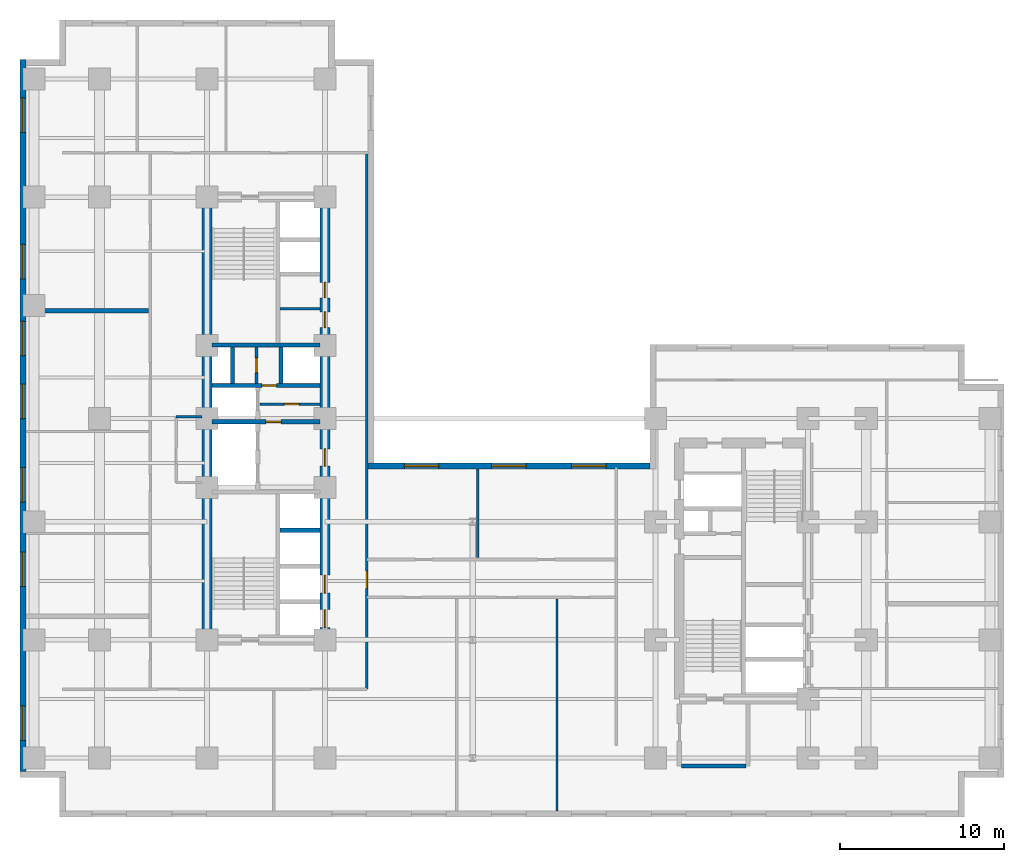
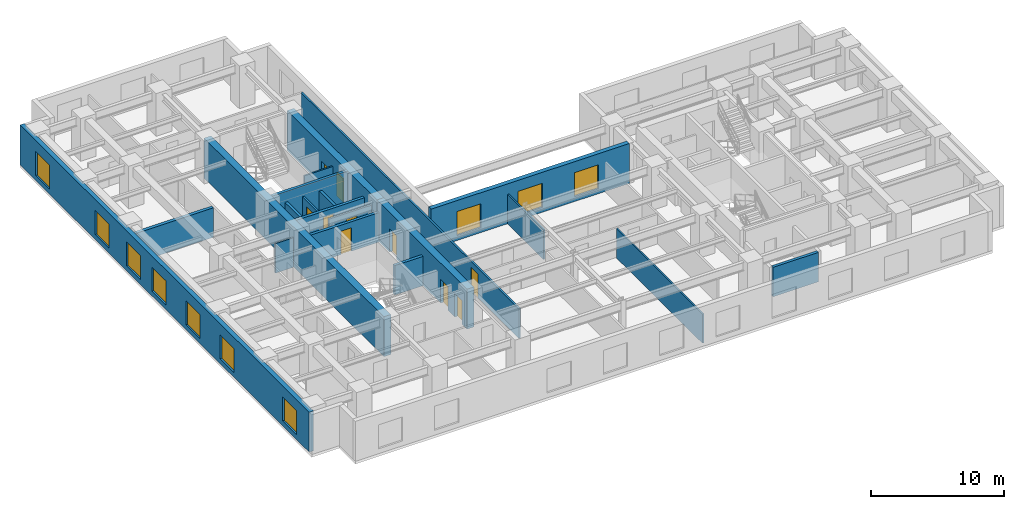
# One storey, part 4 of 9: 20 walls, 10 doors, 10 windows, 20 openings.
"""IFC4 building model written with IfcOpenShell, lengths in metres."""

from ifc_helpers import new_model, entity, si_unit, converted_unit, direction, frame, origin_with_axes, origin_2d_with_axis, place, context, subcontext, project, spatial, polyline, rectangle, outline, extrude, material, layer, layer_set, type_object, element, fill, save


model = new_model("IFC4")

# Units and contexts
model_context = context("Model", 3, precision=1e-05, world=origin_with_axes(), true_north=direction((0.0, 1.0)))
body_context = subcontext(model_context, "Body", "Model", "MODEL_VIEW")
ifc_project = project(units=[si_unit("LENGTHUNIT", "METRE"), si_unit("AREAUNIT", "SQUARE_METRE"), si_unit("VOLUMEUNIT", "CUBIC_METRE"), converted_unit("PLANEANGLEUNIT", "DEGREE", entity("IfcPlaneAngleMeasure", 0.017453292519943295), si_unit("PLANEANGLEUNIT", "RADIAN"), dimensions=[0, 0, 0, 0, 0, 0, 0]), si_unit("MASSUNIT", "GRAM", prefix="KILO"), si_unit("THERMODYNAMICTEMPERATUREUNIT", "KELVIN")], contexts=[model_context])

# Site, building, storey
site_placement = place(None, origin_with_axes())
site = spatial("IfcSite", under=ifc_project, at=site_placement, CompositionType="ELEMENT")
building_placement = place(site_placement, origin_with_axes())
building = spatial("IfcBuilding", under=site, at=building_placement, Name="Varnlund Millrace Tower", CompositionType="ELEMENT")
storey_placement = place(building_placement, frame((0.0, 0.0, 60.0), z_axis=(0.0, 0.0, 1.0), x_axis=(1.0, 0.0, 0.0)))
storey = spatial("IfcBuildingStorey", under=building, at=storey_placement, Name="L14", CompositionType="ELEMENT", Elevation=60.0)

# Wall
ifc_material_1 = material(Name="Concrete C80/95", Category="concrete")
ifc_layer_1 = layer(ifc_material_1, 0.6, Name="Concrete C80/95")
ifc_layer_set_1 = layer_set([ifc_layer_1], Name="Concrete C80/95")
wall_type_1 = type_object("IfcWallType", Name="Type-CoreWall-Shear-600-C80", PredefinedType="SHEAR", material=ifc_layer_set_1)
wall_1_placement = place(storey_placement, frame((11.4, 10.8, 0.0), z_axis=(0.0, 0.0, 1.0), x_axis=(0.0, 1.0, 0.0)))
element("IfcWall", 1, at=wall_1_placement, inside=storey, type_object=wall_type_1, Name="Type-CoreWall-Shear-600-C80", PredefinedType="SHEAR", context=body_context, shape_type="SweptSolid", body=[
    extrude(outline(polyline([(0.0, -0.3), (27.0, -0.3), (27.0, 0.3), (0.0, 0.3), (0.0, -0.3)])), origin_with_axes(), (0.0, 0.0, 1.0), 3.66),
])

# Wall, openings, doors
wall_2_placement = place(storey_placement, frame((18.6, 10.8, 0.0), z_axis=(0.0, 0.0, 1.0), x_axis=(0.0, 1.0, 0.0)))
wall_2 = element("IfcWall", 2, at=wall_2_placement, inside=storey, type_object=wall_type_1, Name="Type-CoreWall-Shear-600-C80", PredefinedType="SHEAR", context=body_context, shape_type="SweptSolid", body=[
    extrude(outline(polyline([(0.0, -0.3), (13.5, -0.3), (13.5, 0.3), (0.0, 0.3), (0.0, -0.3)])), origin_with_axes(), (0.0, 0.0, 1.0), 3.66),
])
opening_1_placement = place(wall_2_placement, frame((1.3, 0.0, 0.0), z_axis=(0.0, 0.0, 1.0), x_axis=(1.0, 0.0, 0.0)))
opening_1 = element("IfcOpeningElement", 3, at=opening_1_placement, cuts=wall_2, Name="Opening L14:LD-ELV-L1", PredefinedType="OPENING", context=body_context, shape_type="SweptSolid", body=[
    extrude(rectangle(XDim=1.1, YDim=0.62, at=origin_2d_with_axis()), origin_with_axes(), (0.0, 0.0, 1.0), 2.15),
])
opening_2_placement = place(wall_2_placement, frame((3.4, 0.0, 0.0), z_axis=(0.0, 0.0, 1.0), x_axis=(1.0, 0.0, 0.0)))
opening_2 = element("IfcOpeningElement", 4, at=opening_2_placement, cuts=wall_2, Name="Opening L14:LD-ELV-L2", PredefinedType="OPENING", context=body_context, shape_type="SweptSolid", body=[
    extrude(rectangle(XDim=1.1, YDim=0.62, at=origin_2d_with_axis()), origin_with_axes(), (0.0, 0.0, 1.0), 2.15),
])
opening_3_placement = place(wall_2_placement, frame((11.125, 0.0, 0.0), z_axis=(0.0, 0.0, 1.0), x_axis=(1.0, 0.0, 0.0)))
opening_3 = element("IfcOpeningElement", 5, at=opening_3_placement, cuts=wall_2, Name="Opening L14:DR-FFLOB-A", PredefinedType="OPENING", context=body_context, shape_type="SweptSolid", body=[
    extrude(rectangle(XDim=1.05, YDim=0.62, at=origin_2d_with_axis()), origin_with_axes(), (0.0, 0.0, 1.0), 2.15),
])
ifc_material_2 = material(Name="Smoke-barrier hollow steel fire door", Category="steel")
door_type_1 = type_object("IfcDoorType", Name="Type-FireDoor-Lobby-1050X2150", OperationType="NOTDEFINED", PredefinedType="DOOR", material=ifc_material_2)
door_1_placement = place(wall_2_placement, frame((11.125, 0.0, 0.0), z_axis=(0.0, 0.0, 1.0), x_axis=(1.0, 0.0, 0.0)))
door_1 = element("IfcDoor", 6, at=door_1_placement, inside=storey, type_object=door_type_1, Name="Type-FireDoor-Lobby-1050X2150", OperationType="SINGLE_SWING_LEFT", OverallHeight=2.15, OverallWidth=1.05, PredefinedType="DOOR", context=body_context, shape_type="SweptSolid", body=[
    extrude(rectangle(XDim=1.05, YDim=0.09, at=origin_2d_with_axis()), origin_with_axes(), (0.0, 0.0, 1.0), 2.15),
])
fill(opening_3, door_1)
ifc_material_3 = material(Name="Stainless and architectural bronze sliding landing door")
door_type_2 = type_object("IfcDoorType", Name="Type-LiftLandingDoor-1100X2150", OperationType="NOTDEFINED", PredefinedType="DOOR", material=ifc_material_3)
door_2_placement = place(wall_2_placement, frame((1.3, 0.0, 0.0), z_axis=(0.0, 0.0, 1.0), x_axis=(1.0, 0.0, 0.0)))
door_2 = element("IfcDoor", 7, at=door_2_placement, inside=storey, type_object=door_type_2, Name="Type-LiftLandingDoor-1100X2150", OperationType="SLIDING_TO_LEFT", OverallHeight=2.15, OverallWidth=1.1, PredefinedType="DOOR", context=body_context, shape_type="SweptSolid", body=[
    extrude(rectangle(XDim=1.1, YDim=0.09, at=origin_2d_with_axis()), origin_with_axes(), (0.0, 0.0, 1.0), 2.15),
])
fill(opening_1, door_2)
door_3_placement = place(wall_2_placement, frame((3.4, 0.0, 0.0), z_axis=(0.0, 0.0, 1.0), x_axis=(1.0, 0.0, 0.0)))
door_3 = element("IfcDoor", 8, at=door_3_placement, inside=storey, type_object=door_type_2, Name="Type-LiftLandingDoor-1100X2150", OperationType="SLIDING_TO_RIGHT", OverallHeight=2.15, OverallWidth=1.1, PredefinedType="DOOR", context=body_context, shape_type="SweptSolid", body=[
    extrude(rectangle(XDim=1.1, YDim=0.09, at=origin_2d_with_axis()), origin_with_axes(), (0.0, 0.0, 1.0), 2.15),
])
fill(opening_2, door_3)

wall_3_placement = place(storey_placement, frame((18.6, 24.3, 0.0), z_axis=(0.0, 0.0, 1.0), x_axis=(0.0, 1.0, 0.0)))
wall_3 = element("IfcWall", 9, at=wall_3_placement, inside=storey, type_object=wall_type_1, Name="Type-CoreWall-Shear-600-C80", PredefinedType="SHEAR", context=body_context, shape_type="SweptSolid", body=[
    extrude(outline(polyline([(0.0, -0.3), (13.5, -0.3), (13.5, 0.3), (0.0, 0.3), (0.0, -0.3)])), origin_with_axes(), (0.0, 0.0, 1.0), 3.66),
])
opening_4_placement = place(wall_3_placement, frame((6.025, 0.0, 0.0), z_axis=(0.0, 0.0, 1.0), x_axis=(1.0, 0.0, 0.0)))
opening_4 = element("IfcOpeningElement", 10, at=opening_4_placement, cuts=wall_3, Name="Opening L14:DR-CA-WC1", PredefinedType="OPENING", context=body_context, shape_type="SweptSolid", body=[
    extrude(rectangle(XDim=0.95, YDim=0.62, at=origin_2d_with_axis()), origin_with_axes(), (0.0, 0.0, 1.0), 2.15),
])
opening_5_placement = place(wall_3_placement, frame((7.825, 0.0, 0.0), z_axis=(0.0, 0.0, 1.0), x_axis=(1.0, 0.0, 0.0)))
opening_5 = element("IfcOpeningElement", 11, at=opening_5_placement, cuts=wall_3, Name="Opening L14:DR-CA-WC2", PredefinedType="OPENING", context=body_context, shape_type="SweptSolid", body=[
    extrude(rectangle(XDim=0.95, YDim=0.62, at=origin_2d_with_axis()), origin_with_axes(), (0.0, 0.0, 1.0), 2.15),
])
ifc_material_4 = material(Name="Fire-rated hollow steel core service door", Category="steel")
door_type_3 = type_object("IfcDoorType", Name="Type-FireDoor-Service-950X2150", OperationType="NOTDEFINED", PredefinedType="DOOR", material=ifc_material_4)
door_4_placement = place(wall_3_placement, frame((6.025, 0.0, 0.0), z_axis=(0.0, 0.0, 1.0), x_axis=(1.0, 0.0, 0.0)))
door_4 = element("IfcDoor", 12, at=door_4_placement, inside=storey, type_object=door_type_3, Name="Type-FireDoor-Service-950X2150", OperationType="SINGLE_SWING_RIGHT", OverallHeight=2.15, OverallWidth=0.95, PredefinedType="DOOR", context=body_context, shape_type="SweptSolid", body=[
    extrude(rectangle(XDim=0.95, YDim=0.09, at=origin_2d_with_axis()), origin_with_axes(), (0.0, 0.0, 1.0), 2.15),
])
fill(opening_4, door_4)
door_5_placement = place(wall_3_placement, frame((7.825, 0.0, 0.0), z_axis=(0.0, 0.0, 1.0), x_axis=(1.0, 0.0, 0.0)))
door_5 = element("IfcDoor", 13, at=door_5_placement, inside=storey, type_object=door_type_3, Name="Type-FireDoor-Service-950X2150", OperationType="SINGLE_SWING_RIGHT", OverallHeight=2.15, OverallWidth=0.95, PredefinedType="DOOR", context=body_context, shape_type="SweptSolid", body=[
    extrude(rectangle(XDim=0.95, YDim=0.09, at=origin_2d_with_axis()), origin_with_axes(), (0.0, 0.0, 1.0), 2.15),
])
fill(opening_5, door_5)

# Wall, openings, windows
ifc_material_5 = material(Name="Precast concrete C50/60", Category="concrete")
ifc_layer_2 = layer(ifc_material_5, 0.38, Name="Precast concrete C50/60")
ifc_layer_set_2 = layer_set([ifc_layer_2], Name="Precast concrete C50/60")
wall_type_2 = type_object("IfcWallType", Name="Type-ExtWall-Precast-Tube-380", PredefinedType="SOLIDWALL", material=ifc_layer_set_2)
wall_4_placement = place(storey_placement, frame((0.19, 2.78, 0.0), z_axis=(0.0, 0.0, 1.0), x_axis=(0.0, 1.0, 0.0)))
wall_4 = element("IfcWall", 14, at=wall_4_placement, inside=storey, type_object=wall_type_2, Name="Type-ExtWall-Precast-Tube-380", PredefinedType="SOLIDWALL", context=body_context, shape_type="SweptSolid", body=[
    extrude(outline(polyline([(0.0, -0.19), (43.42, -0.19), (43.42, 0.19), (0.0, 0.19), (0.0, -0.19)])), origin_with_axes(), (0.0, 0.0, 1.0), 3.66),
])
opening_6_placement = place(wall_4_placement, frame((2.946, 0.0, 0.45), z_axis=(0.0, 0.0, 1.0), x_axis=(1.0, 0.0, 0.0)))
opening_6 = element("IfcOpeningElement", 15, at=opening_6_placement, cuts=wall_4, Name="Opening L14:WN-16", PredefinedType="OPENING", context=body_context, shape_type="SweptSolid", body=[
    extrude(rectangle(XDim=2.1, YDim=0.4, at=origin_2d_with_axis()), origin_with_axes(), (0.0, 0.0, 1.0), 2.2),
])
opening_7_placement = place(wall_4_placement, frame((12.328, 0.0, 0.45), z_axis=(0.0, 0.0, 1.0), x_axis=(1.0, 0.0, 0.0)))
opening_7 = element("IfcOpeningElement", 16, at=opening_7_placement, cuts=wall_4, Name="Opening L14:WN-17", PredefinedType="OPENING", context=body_context, shape_type="SweptSolid", body=[
    extrude(rectangle(XDim=2.1, YDim=0.4, at=origin_2d_with_axis()), origin_with_axes(), (0.0, 0.0, 1.0), 2.2),
])
opening_8_placement = place(wall_4_placement, frame((17.469, 0.0, 0.45), z_axis=(0.0, 0.0, 1.0), x_axis=(1.0, 0.0, 0.0)))
opening_8 = element("IfcOpeningElement", 17, at=opening_8_placement, cuts=wall_4, Name="Opening L14:WN-18", PredefinedType="OPENING", context=body_context, shape_type="SweptSolid", body=[
    extrude(rectangle(XDim=2.1, YDim=0.4, at=origin_2d_with_axis()), origin_with_axes(), (0.0, 0.0, 1.0), 2.2),
])
opening_9_placement = place(wall_4_placement, frame((22.56, 0.0, 0.45), z_axis=(0.0, 0.0, 1.0), x_axis=(1.0, 0.0, 0.0)))
opening_9 = element("IfcOpeningElement", 18, at=opening_9_placement, cuts=wall_4, Name="Opening L14:WN-19", PredefinedType="OPENING", context=body_context, shape_type="SweptSolid", body=[
    extrude(rectangle(XDim=2.1, YDim=0.4, at=origin_2d_with_axis()), origin_with_axes(), (0.0, 0.0, 1.0), 2.2),
])
opening_10_placement = place(wall_4_placement, frame((26.401, 0.0, 0.45), z_axis=(0.0, 0.0, 1.0), x_axis=(1.0, 0.0, 0.0)))
opening_10 = element("IfcOpeningElement", 19, at=opening_10_placement, cuts=wall_4, Name="Opening L14:WN-20", PredefinedType="OPENING", context=body_context, shape_type="SweptSolid", body=[
    extrude(rectangle(XDim=2.1, YDim=0.4, at=origin_2d_with_axis()), origin_with_axes(), (0.0, 0.0, 1.0), 2.2),
])
opening_11_placement = place(wall_4_placement, frame((31.092, 0.0, 0.45), z_axis=(0.0, 0.0, 1.0), x_axis=(1.0, 0.0, 0.0)))
opening_11 = element("IfcOpeningElement", 20, at=opening_11_placement, cuts=wall_4, Name="Opening L14:WN-21", PredefinedType="OPENING", context=body_context, shape_type="SweptSolid", body=[
    extrude(rectangle(XDim=2.1, YDim=0.4, at=origin_2d_with_axis()), origin_with_axes(), (0.0, 0.0, 1.0), 2.2),
])
opening_12_placement = place(wall_4_placement, frame((40.024, 0.0, 0.45), z_axis=(0.0, 0.0, 1.0), x_axis=(1.0, 0.0, 0.0)))
opening_12 = element("IfcOpeningElement", 21, at=opening_12_placement, cuts=wall_4, Name="Opening L14:WN-22", PredefinedType="OPENING", context=body_context, shape_type="SweptSolid", body=[
    extrude(rectangle(XDim=2.1, YDim=0.4, at=origin_2d_with_axis()), origin_with_axes(), (0.0, 0.0, 1.0), 2.2),
])
ifc_material_6 = material(Name="Argon low-e triple glazing in thermally broken bronze frame", Category="glass")
window_type = type_object("IfcWindowType", Name="Type-Window-Punched-2100X2200", PartitioningType="SINGLE_PANEL", PredefinedType="WINDOW", material=ifc_material_6)
window_1_placement = place(wall_4_placement, frame((2.946, 0.0, 0.45), z_axis=(0.0, 0.0, 1.0), x_axis=(1.0, 0.0, 0.0)))
window_1 = element("IfcWindow", 22, at=window_1_placement, inside=storey, type_object=window_type, Name="Type-Window-Punched-2100X2200", OverallHeight=2.2, OverallWidth=2.1, PredefinedType="WINDOW", context=body_context, shape_type="SweptSolid", body=[
    extrude(rectangle(XDim=2.1, YDim=0.09, at=origin_2d_with_axis()), origin_with_axes(), (0.0, 0.0, 1.0), 2.2),
])
fill(opening_6, window_1)
window_2_placement = place(wall_4_placement, frame((12.328, 0.0, 0.45), z_axis=(0.0, 0.0, 1.0), x_axis=(1.0, 0.0, 0.0)))
window_2 = element("IfcWindow", 23, at=window_2_placement, inside=storey, type_object=window_type, Name="Type-Window-Punched-2100X2200", OverallHeight=2.2, OverallWidth=2.1, PredefinedType="WINDOW", context=body_context, shape_type="SweptSolid", body=[
    extrude(rectangle(XDim=2.1, YDim=0.09, at=origin_2d_with_axis()), origin_with_axes(), (0.0, 0.0, 1.0), 2.2),
])
fill(opening_7, window_2)
window_3_placement = place(wall_4_placement, frame((17.469, 0.0, 0.45), z_axis=(0.0, 0.0, 1.0), x_axis=(1.0, 0.0, 0.0)))
window_3 = element("IfcWindow", 24, at=window_3_placement, inside=storey, type_object=window_type, Name="Type-Window-Punched-2100X2200", OverallHeight=2.2, OverallWidth=2.1, PredefinedType="WINDOW", context=body_context, shape_type="SweptSolid", body=[
    extrude(rectangle(XDim=2.1, YDim=0.09, at=origin_2d_with_axis()), origin_with_axes(), (0.0, 0.0, 1.0), 2.2),
])
fill(opening_8, window_3)
window_4_placement = place(wall_4_placement, frame((22.56, 0.0, 0.45), z_axis=(0.0, 0.0, 1.0), x_axis=(1.0, 0.0, 0.0)))
window_4 = element("IfcWindow", 25, at=window_4_placement, inside=storey, type_object=window_type, Name="Type-Window-Punched-2100X2200", OverallHeight=2.2, OverallWidth=2.1, PredefinedType="WINDOW", context=body_context, shape_type="SweptSolid", body=[
    extrude(rectangle(XDim=2.1, YDim=0.09, at=origin_2d_with_axis()), origin_with_axes(), (0.0, 0.0, 1.0), 2.2),
])
fill(opening_9, window_4)
window_5_placement = place(wall_4_placement, frame((26.401, 0.0, 0.45), z_axis=(0.0, 0.0, 1.0), x_axis=(1.0, 0.0, 0.0)))
window_5 = element("IfcWindow", 26, at=window_5_placement, inside=storey, type_object=window_type, Name="Type-Window-Punched-2100X2200", OverallHeight=2.2, OverallWidth=2.1, PredefinedType="WINDOW", context=body_context, shape_type="SweptSolid", body=[
    extrude(rectangle(XDim=2.1, YDim=0.09, at=origin_2d_with_axis()), origin_with_axes(), (0.0, 0.0, 1.0), 2.2),
])
fill(opening_10, window_5)
window_6_placement = place(wall_4_placement, frame((31.092, 0.0, 0.45), z_axis=(0.0, 0.0, 1.0), x_axis=(1.0, 0.0, 0.0)))
window_6 = element("IfcWindow", 27, at=window_6_placement, inside=storey, type_object=window_type, Name="Type-Window-Punched-2100X2200", OverallHeight=2.2, OverallWidth=2.1, PredefinedType="WINDOW", context=body_context, shape_type="SweptSolid", body=[
    extrude(rectangle(XDim=2.1, YDim=0.09, at=origin_2d_with_axis()), origin_with_axes(), (0.0, 0.0, 1.0), 2.2),
])
fill(opening_11, window_6)
window_7_placement = place(wall_4_placement, frame((40.024, 0.0, 0.45), z_axis=(0.0, 0.0, 1.0), x_axis=(1.0, 0.0, 0.0)))
window_7 = element("IfcWindow", 28, at=window_7_placement, inside=storey, type_object=window_type, Name="Type-Window-Punched-2100X2200", OverallHeight=2.2, OverallWidth=2.1, PredefinedType="WINDOW", context=body_context, shape_type="SweptSolid", body=[
    extrude(rectangle(XDim=2.1, YDim=0.09, at=origin_2d_with_axis()), origin_with_axes(), (0.0, 0.0, 1.0), 2.2),
])
fill(opening_12, window_7)

wall_5_placement = place(storey_placement, frame((21.22, 21.41, 0.0), z_axis=(0.0, 0.0, 1.0), x_axis=(1.0, 0.0, 0.0)))
wall_5 = element("IfcWall", 29, at=wall_5_placement, inside=storey, type_object=wall_type_2, Name="Type-ExtWall-Precast-Tube-380", PredefinedType="SOLIDWALL", context=body_context, shape_type="SweptSolid", body=[
    extrude(outline(polyline([(0.0, -0.19), (17.18, -0.19), (17.18, 0.19), (0.0, 0.19), (0.0, -0.19)])), origin_with_axes(), (0.0, 0.0, 1.0), 3.66),
])
opening_13_placement = place(wall_5_placement, frame((3.263, 0.0, 0.45), z_axis=(0.0, 0.0, 1.0), x_axis=(1.0, 0.0, 0.0)))
opening_13 = element("IfcOpeningElement", 30, at=opening_13_placement, cuts=wall_5, Name="Opening L14:WN-27", PredefinedType="OPENING", context=body_context, shape_type="SweptSolid", body=[
    extrude(rectangle(XDim=2.1, YDim=0.4, at=origin_2d_with_axis()), origin_with_axes(), (0.0, 0.0, 1.0), 2.2),
])
opening_14_placement = place(wall_5_placement, frame((8.59, 0.0, 0.45), z_axis=(0.0, 0.0, 1.0), x_axis=(1.0, 0.0, 0.0)))
opening_14 = element("IfcOpeningElement", 31, at=opening_14_placement, cuts=wall_5, Name="Opening L14:WN-28", PredefinedType="OPENING", context=body_context, shape_type="SweptSolid", body=[
    extrude(rectangle(XDim=2.1, YDim=0.4, at=origin_2d_with_axis()), origin_with_axes(), (0.0, 0.0, 1.0), 2.2),
])
opening_15_placement = place(wall_5_placement, frame((13.467, 0.0, 0.45), z_axis=(0.0, 0.0, 1.0), x_axis=(1.0, 0.0, 0.0)))
opening_15 = element("IfcOpeningElement", 32, at=opening_15_placement, cuts=wall_5, Name="Opening L14:WN-29", PredefinedType="OPENING", context=body_context, shape_type="SweptSolid", body=[
    extrude(rectangle(XDim=2.1, YDim=0.4, at=origin_2d_with_axis()), origin_with_axes(), (0.0, 0.0, 1.0), 2.2),
])
window_8_placement = place(wall_5_placement, frame((3.263, 0.0, 0.45), z_axis=(0.0, 0.0, 1.0), x_axis=(1.0, 0.0, 0.0)))
window_8 = element("IfcWindow", 33, at=window_8_placement, inside=storey, type_object=window_type, Name="Type-Window-Punched-2100X2200", OverallHeight=2.2, OverallWidth=2.1, PredefinedType="WINDOW", context=body_context, shape_type="SweptSolid", body=[
    extrude(rectangle(XDim=2.1, YDim=0.09, at=origin_2d_with_axis()), origin_with_axes(), (0.0, 0.0, 1.0), 2.2),
])
fill(opening_13, window_8)
window_9_placement = place(wall_5_placement, frame((8.59, 0.0, 0.45), z_axis=(0.0, 0.0, 1.0), x_axis=(1.0, 0.0, 0.0)))
window_9 = element("IfcWindow", 34, at=window_9_placement, inside=storey, type_object=window_type, Name="Type-Window-Punched-2100X2200", OverallHeight=2.2, OverallWidth=2.1, PredefinedType="WINDOW", context=body_context, shape_type="SweptSolid", body=[
    extrude(rectangle(XDim=2.1, YDim=0.09, at=origin_2d_with_axis()), origin_with_axes(), (0.0, 0.0, 1.0), 2.2),
])
fill(opening_14, window_9)
window_10_placement = place(wall_5_placement, frame((13.467, 0.0, 0.45), z_axis=(0.0, 0.0, 1.0), x_axis=(1.0, 0.0, 0.0)))
window_10 = element("IfcWindow", 35, at=window_10_placement, inside=storey, type_object=window_type, Name="Type-Window-Punched-2100X2200", OverallHeight=2.2, OverallWidth=2.1, PredefinedType="WINDOW", context=body_context, shape_type="SweptSolid", body=[
    extrude(rectangle(XDim=2.1, YDim=0.09, at=origin_2d_with_axis()), origin_with_axes(), (0.0, 0.0, 1.0), 2.2),
])
fill(opening_15, window_10)

# Wall
ifc_material_7 = material(Name="Double-stud STC-60 conference acoustic partition", Category="gypsum")
ifc_layer_3 = layer(ifc_material_7, 0.28, Name="Double-stud STC-60 conference acoustic partition")
ifc_layer_set_3 = layer_set([ifc_layer_3], Name="Double-stud STC-60 conference acoustic partition")
wall_type_3 = type_object("IfcWallType", Name="Type-Partition-Acoustic-280", PredefinedType="PARTITIONING", material=ifc_layer_set_3)
wall_6_placement = place(storey_placement, frame((0.375, 30.87, 0.0), z_axis=(0.0, 0.0, 1.0), x_axis=(1.0, 0.0, 0.0)))
element("IfcWall", 36, at=wall_6_placement, inside=storey, type_object=wall_type_3, Name="Type-Partition-Acoustic-280", PredefinedType="PARTITIONING", context=body_context, shape_type="SweptSolid", body=[
    extrude(outline(polyline([(0.0, -0.14), (7.455, -0.14), (7.455, 0.14), (0.0, 0.14), (0.0, -0.14)])), origin_with_axes(), (0.0, 0.0, 1.0), 2.7),
])

# Wall, opening, door
ifc_material_8 = material(Name="Fire-rated gypsum board on cold-formed steel framing", Category="steel")
ifc_layer_4 = layer(ifc_material_8, 0.16, Name="Fire-rated gypsum board on cold-formed steel framing")
ifc_layer_set_4 = layer_set([ifc_layer_4], Name="Fire-rated gypsum board on cold-formed steel framing")
wall_type_4 = type_object("IfcWallType", Name="Type-Partition-Corridor-160", PredefinedType="PARTITIONING", material=ifc_layer_set_4)
wall_7_placement = place(storey_placement, frame((14.62, 25.18, 0.0), z_axis=(0.0, 0.0, 1.0), x_axis=(1.0, 0.0, 0.0)))
wall_7 = element("IfcWall", 37, at=wall_7_placement, inside=storey, type_object=wall_type_4, Name="Type-Partition-Corridor-160", PredefinedType="PARTITIONING", context=body_context, shape_type="SweptSolid", body=[
    extrude(outline(polyline([(0.0, -0.08), (3.68, -0.08), (3.68, 0.08), (0.0, 0.08), (0.0, -0.08)])), origin_with_axes(), (0.0, 0.0, 1.0), 2.7),
])
opening_16_placement = place(wall_7_placement, frame((1.95, 0.0, 0.0), z_axis=(0.0, 0.0, 1.0), x_axis=(1.0, 0.0, 0.0)))
opening_16 = element("IfcOpeningElement", 38, at=opening_16_placement, cuts=wall_7, Name="Opening L14:DR-CA-SUB2", PredefinedType="OPENING", context=body_context, shape_type="SweptSolid", body=[
    extrude(rectangle(XDim=0.9, YDim=0.18, at=origin_2d_with_axis()), origin_with_axes(), (0.0, 0.0, 1.0), 2.15),
])
ifc_material_9 = material(Name="Painted steel riser and closet door", Category="steel")
door_type_4 = type_object("IfcDoorType", Name="Type-IntDoor-Closet-900X2150", OperationType="NOTDEFINED", PredefinedType="DOOR", material=ifc_material_9)
door_6_placement = place(wall_7_placement, frame((1.95, 0.0, 0.0), z_axis=(0.0, 0.0, 1.0), x_axis=(1.0, 0.0, 0.0)))
door_6 = element("IfcDoor", 39, at=door_6_placement, inside=storey, type_object=door_type_4, Name="Type-IntDoor-Closet-900X2150", OperationType="SINGLE_SWING_LEFT", OverallHeight=2.15, OverallWidth=0.9, PredefinedType="DOOR", context=body_context, shape_type="SweptSolid", body=[
    extrude(rectangle(XDim=0.9, YDim=0.09, at=origin_2d_with_axis()), origin_with_axes(), (0.0, 0.0, 1.0), 2.15),
])
fill(opening_16, door_6)

wall_8_placement = place(storey_placement, frame((14.42, 26.45, 0.0), z_axis=(0.0, 0.0, 1.0), x_axis=(0.0, 1.0, 0.0)))
wall_8 = element("IfcWall", 40, at=wall_8_placement, inside=storey, type_object=wall_type_4, Name="Type-Partition-Corridor-160", PredefinedType="PARTITIONING", context=body_context, shape_type="SweptSolid", body=[
    extrude(outline(polyline([(0.0, -0.08), (2.2, -0.08), (2.2, 0.08), (0.0, 0.08), (0.0, -0.08)])), origin_with_axes(), (0.0, 0.0, 1.0), 2.7),
])
opening_17_placement = place(wall_8_placement, frame((1.1, 0.0, 0.0), z_axis=(0.0, 0.0, 1.0), x_axis=(1.0, 0.0, 0.0)))
opening_17 = element("IfcOpeningElement", 41, at=opening_17_placement, cuts=wall_8, Name="Opening L14:DR-CA-EL2", PredefinedType="OPENING", context=body_context, shape_type="SweptSolid", body=[
    extrude(rectangle(XDim=0.9, YDim=0.18, at=origin_2d_with_axis()), origin_with_axes(), (0.0, 0.0, 1.0), 2.15),
])
door_7_placement = place(wall_8_placement, frame((1.1, 0.0, 0.0), z_axis=(0.0, 0.0, 1.0), x_axis=(1.0, 0.0, 0.0)))
door_7 = element("IfcDoor", 42, at=door_7_placement, inside=storey, type_object=door_type_4, Name="Type-IntDoor-Closet-900X2150", OperationType="SINGLE_SWING_LEFT", OverallHeight=2.15, OverallWidth=0.9, PredefinedType="DOOR", context=body_context, shape_type="SweptSolid", body=[
    extrude(rectangle(XDim=0.9, YDim=0.09, at=origin_2d_with_axis()), origin_with_axes(), (0.0, 0.0, 1.0), 2.15),
])
fill(opening_17, door_7)

wall_9_placement = place(storey_placement, frame((21.15, 7.8, 0.0), z_axis=(0.0, 0.0, 1.0), x_axis=(0.0, 1.0, 0.0)))
wall_9 = element("IfcWall", 43, at=wall_9_placement, inside=storey, type_object=wall_type_4, Name="Type-Partition-Corridor-160", PredefinedType="PARTITIONING", context=body_context, shape_type="SweptSolid", body=[
    extrude(outline(polyline([(0.0, -0.08), (32.7, -0.08), (32.7, 0.08), (0.0, 0.08), (0.0, -0.08)])), origin_with_axes(), (0.0, 0.0, 1.0), 2.7),
])
opening_18_placement = place(wall_9_placement, frame((6.675, 0.0, 0.0), z_axis=(0.0, 0.0, 1.0), x_axis=(1.0, 0.0, 0.0)))
opening_18 = element("IfcOpeningElement", 44, at=opening_18_placement, cuts=wall_9, Name="Opening L14:DR-KN-W", PredefinedType="OPENING", context=body_context, shape_type="SweptSolid", body=[
    extrude(rectangle(XDim=1.05, YDim=0.18, at=origin_2d_with_axis()), origin_with_axes(), (0.0, 0.0, 1.0), 2.15),
])
door_8_placement = place(wall_9_placement, frame((6.675, 0.0, 0.0), z_axis=(0.0, 0.0, 1.0), x_axis=(1.0, 0.0, 0.0)))
door_8 = element("IfcDoor", 45, at=door_8_placement, inside=storey, type_object=door_type_1, Name="Type-FireDoor-Lobby-1050X2150", OperationType="SINGLE_SWING_LEFT", OverallHeight=2.15, OverallWidth=1.05, PredefinedType="DOOR", context=body_context, shape_type="SweptSolid", body=[
    extrude(rectangle(XDim=1.05, YDim=0.09, at=origin_2d_with_axis()), origin_with_axes(), (0.0, 0.0, 1.0), 2.15),
])
fill(opening_18, door_8)

# Walls
ifc_material_10 = material(Name="Acoustic STC-50 gypsum board partition", Category="gypsum")
ifc_layer_5 = layer(ifc_material_10, 0.15, Name="Acoustic STC-50 gypsum board partition")
ifc_layer_set_5 = layer_set([ifc_layer_5], Name="Acoustic STC-50 gypsum board partition")
wall_type_5 = type_object("IfcWallType", Name="Type-Partition-Demising-150", PredefinedType="PARTITIONING", material=ifc_layer_set_5)
wall_10_placement = place(storey_placement, frame((27.906, 15.82, 0.0), z_axis=(0.0, 0.0, 1.0), x_axis=(0.0, 1.0, 0.0)))
element("IfcWall", 46, at=wall_10_placement, inside=storey, type_object=wall_type_5, Name="Type-Partition-Demising-150", PredefinedType="PARTITIONING", context=body_context, shape_type="SweptSolid", body=[
    extrude(outline(polyline([(0.0, -0.075), (5.405, -0.075), (5.405, 0.075), (0.0, 0.075), (0.0, -0.075)])), origin_with_axes(), (0.0, 0.0, 1.0), 2.7),
])
ifc_material_11 = material(Name="Gypsum board tenant partition", Category="gypsum")
ifc_layer_6 = layer(ifc_material_11, 0.125, Name="Gypsum board tenant partition")
ifc_layer_set_6 = layer_set([ifc_layer_6], Name="Gypsum board tenant partition")
wall_type_6 = type_object("IfcWallType", Name="Type-Partition-Tenant-125", PredefinedType="PARTITIONING", material=ifc_layer_set_6)
wall_11_placement = place(storey_placement, frame((32.742, 0.36, 0.0), z_axis=(0.0, 0.0, 1.0), x_axis=(0.0, 1.0, 0.0)))
element("IfcWall", 47, at=wall_11_placement, inside=storey, type_object=wall_type_6, Name="Type-Partition-Tenant-125", PredefinedType="PARTITIONING", context=body_context, shape_type="SweptSolid", body=[
    extrude(outline(polyline([(0.0, -0.0625), (12.92, -0.0625), (12.92, 0.0625), (0.0, 0.0625), (0.0, -0.0625)])), origin_with_axes(), (0.0, 0.0, 1.0), 2.7),
])
ifc_material_12 = material(Name="Moisture-resistant gypsum restroom partition", Category="gypsum")
ifc_layer_7 = layer(ifc_material_12, 0.14, Name="Moisture-resistant gypsum restroom partition")
ifc_layer_set_7 = layer_set([ifc_layer_7], Name="Moisture-resistant gypsum restroom partition")
wall_type_7 = type_object("IfcWallType", Name="Type-Partition-Wet-140", PredefinedType="PARTITIONING", material=ifc_layer_set_7)
wall_12_placement = place(storey_placement, frame((15.84, 31.0, 0.0), z_axis=(0.0, 0.0, 1.0), x_axis=(1.0, 0.0, 0.0)))
element("IfcWall", 48, at=wall_12_placement, inside=storey, type_object=wall_type_7, Name="Type-Partition-Wet-140", PredefinedType="PARTITIONING", context=body_context, shape_type="SweptSolid", body=[
    extrude(outline(polyline([(0.0, -0.07), (2.46, -0.07), (2.46, 0.07), (0.0, 0.07), (0.0, -0.07)])), origin_with_axes(), (0.0, 0.0, 1.0), 2.7),
])
wall_13_placement = place(storey_placement, frame((9.52, 24.4, 0.0), z_axis=(0.0, 0.0, 1.0), x_axis=(1.0, 0.0, 0.0)))
element("IfcWall", 49, at=wall_13_placement, inside=storey, type_object=wall_type_7, Name="Type-Partition-Wet-140", PredefinedType="PARTITIONING", context=body_context, shape_type="SweptSolid", body=[
    extrude(outline(polyline([(0.0, -0.07), (1.58, -0.07), (1.58, 0.07), (0.0, 0.07), (0.0, -0.07)])), origin_with_axes(), (0.0, 0.0, 1.0), 2.7),
])

# Wall, opening, door
ifc_material_13 = material(Name="Concrete C60/75", Category="concrete")
ifc_layer_8 = layer(ifc_material_13, 0.25, Name="Concrete C60/75")
ifc_layer_set_8 = layer_set([ifc_layer_8], Name="Concrete C60/75")
wall_type_8 = type_object("IfcWallType", Name="Type-ShaftWall-Fire-250", PredefinedType="SOLIDWALL", material=ifc_layer_set_8)
wall_14_placement = place(storey_placement, frame((11.7, 24.1, 0.0), z_axis=(0.0, 0.0, 1.0), x_axis=(1.0, 0.0, 0.0)))
wall_14 = element("IfcWall", 50, at=wall_14_placement, inside=storey, type_object=wall_type_8, Name="Type-ShaftWall-Fire-250", PredefinedType="SOLIDWALL", context=body_context, shape_type="SweptSolid", body=[
    extrude(outline(polyline([(0.0, -0.125), (6.6, -0.125), (6.6, 0.125), (0.0, 0.125), (0.0, -0.125)])), origin_with_axes(), (0.0, 0.0, 1.0), 2.7),
])
opening_19_placement = place(wall_14_placement, frame((3.75, 0.0, 0.0), z_axis=(0.0, 0.0, 1.0), x_axis=(1.0, 0.0, 0.0)))
opening_19 = element("IfcOpeningElement", 51, at=opening_19_placement, cuts=wall_14, Name="Opening L14:DR-CA-SUB1", PredefinedType="OPENING", context=body_context, shape_type="SweptSolid", body=[
    extrude(rectangle(XDim=0.9, YDim=0.27, at=origin_2d_with_axis()), origin_with_axes(), (0.0, 0.0, 1.0), 2.15),
])
ifc_material_14 = material(Name="Fire-rated hollow steel service closet door", Category="steel")
door_type_5 = type_object("IfcDoorType", Name="Type-FireDoor-Closet-900X2150", OperationType="NOTDEFINED", PredefinedType="DOOR", material=ifc_material_14)
door_9_placement = place(wall_14_placement, frame((3.75, 0.0, 0.0), z_axis=(0.0, 0.0, 1.0), x_axis=(1.0, 0.0, 0.0)))
door_9 = element("IfcDoor", 52, at=door_9_placement, inside=storey, type_object=door_type_5, Name="Type-FireDoor-Closet-900X2150", OperationType="SINGLE_SWING_LEFT", OverallHeight=2.15, OverallWidth=0.9, PredefinedType="DOOR", context=body_context, shape_type="SweptSolid", body=[
    extrude(rectangle(XDim=0.9, YDim=0.09, at=origin_2d_with_axis()), origin_with_axes(), (0.0, 0.0, 1.0), 2.15),
])
fill(opening_19, door_9)

wall_15_placement = place(storey_placement, frame((11.7, 26.325, 0.0), z_axis=(0.0, 0.0, 1.0), x_axis=(1.0, 0.0, 0.0)))
wall_15 = element("IfcWall", 53, at=wall_15_placement, inside=storey, type_object=wall_type_8, Name="Type-ShaftWall-Fire-250", PredefinedType="SOLIDWALL", context=body_context, shape_type="SweptSolid", body=[
    extrude(outline(polyline([(0.0, -0.125), (6.6, -0.125), (6.6, 0.125), (0.0, 0.125), (0.0, -0.125)])), origin_with_axes(), (0.0, 0.0, 1.0), 2.7),
])
opening_20_placement = place(wall_15_placement, frame((3.5, 0.0, 0.0), z_axis=(0.0, 0.0, 1.0), x_axis=(1.0, 0.0, 0.0)))
opening_20 = element("IfcOpeningElement", 54, at=opening_20_placement, cuts=wall_15, Name="Opening L14:DR-CA-EL1", PredefinedType="OPENING", context=body_context, shape_type="SweptSolid", body=[
    extrude(rectangle(XDim=0.9, YDim=0.27, at=origin_2d_with_axis()), origin_with_axes(), (0.0, 0.0, 1.0), 2.15),
])
door_10_placement = place(wall_15_placement, frame((3.5, 0.0, 0.0), z_axis=(0.0, 0.0, 1.0), x_axis=(1.0, 0.0, 0.0)))
door_10 = element("IfcDoor", 55, at=door_10_placement, inside=storey, type_object=door_type_5, Name="Type-FireDoor-Closet-900X2150", OperationType="SINGLE_SWING_LEFT", OverallHeight=2.15, OverallWidth=0.9, PredefinedType="DOOR", context=body_context, shape_type="SweptSolid", body=[
    extrude(rectangle(XDim=0.9, YDim=0.09, at=origin_2d_with_axis()), origin_with_axes(), (0.0, 0.0, 1.0), 2.15),
])
fill(opening_20, door_10)

# Walls
for number, where, z_axis, x_axis, name in (
    (56, (12.96, 26.45, 0.0), (0.0, 0.0, 1.0), (0.0, 1.0, 0.0), "Type-ShaftWall-Fire-250"),
    (57, (15.925, 26.45, 0.0), (0.0, 0.0, 1.0), (0.0, 1.0, 0.0), "Type-ShaftWall-Fire-250"),
):
    element("IfcWall", number, at=place(storey_placement, frame(where, z_axis=z_axis, x_axis=x_axis)), inside=storey, type_object=wall_type_8, Name=name, PredefinedType="SOLIDWALL", context=body_context, shape_type="SweptSolid", body=[
        extrude(outline(polyline([(0.0, -0.125), (2.2, -0.125), (2.2, 0.125), (0.0, 0.125), (0.0, -0.125)])), origin_with_axes(), (0.0, 0.0, 1.0), 2.7),
    ])
wall_16_placement = place(storey_placement, frame((40.325, 3.1, 0.0), z_axis=(0.0, 0.0, 1.0), x_axis=(1.0, 0.0, 0.0)))
element("IfcWall", 58, at=wall_16_placement, inside=storey, type_object=wall_type_8, Name="Type-ShaftWall-Fire-250", PredefinedType="SOLIDWALL", context=body_context, shape_type="SweptSolid", body=[
    extrude(outline(polyline([(0.0, -0.125), (3.95, -0.125), (3.95, 0.125), (0.0, 0.125), (0.0, -0.125)])), origin_with_axes(), (0.0, 0.0, 1.0), 2.7),
])
wall_17_placement = place(storey_placement, frame((15.84, 17.49, 0.0), z_axis=(0.0, 0.0, 1.0), x_axis=(1.0, 0.0, 0.0)))
element("IfcWall", 59, at=wall_17_placement, inside=storey, type_object=wall_type_8, Name="Type-ShaftWall-Fire-250", PredefinedType="SOLIDWALL", context=body_context, shape_type="SweptSolid", body=[
    extrude(outline(polyline([(0.0, -0.125), (2.46, -0.125), (2.46, 0.125), (0.0, 0.125), (0.0, -0.125)])), origin_with_axes(), (0.0, 0.0, 1.0), 2.7),
])
wall_type_9 = type_object("IfcWallType", Name="Type-StairWall-Shear-250", PredefinedType="SHEAR", material=ifc_layer_set_8)
wall_18_placement = place(storey_placement, frame((11.7, 28.775, 0.0), z_axis=(0.0, 0.0, 1.0), x_axis=(1.0, 0.0, 0.0)))
element("IfcWall", 60, at=wall_18_placement, inside=storey, type_object=wall_type_9, Name="Type-StairWall-Shear-250", PredefinedType="SHEAR", context=body_context, shape_type="SweptSolid", body=[
    extrude(outline(polyline([(0.0, -0.125), (6.6, -0.125), (6.6, 0.125), (0.0, 0.125), (0.0, -0.125)])), origin_with_axes(), (0.0, 0.0, 1.0), 3.66),
])

save(model, "model.ifc")
